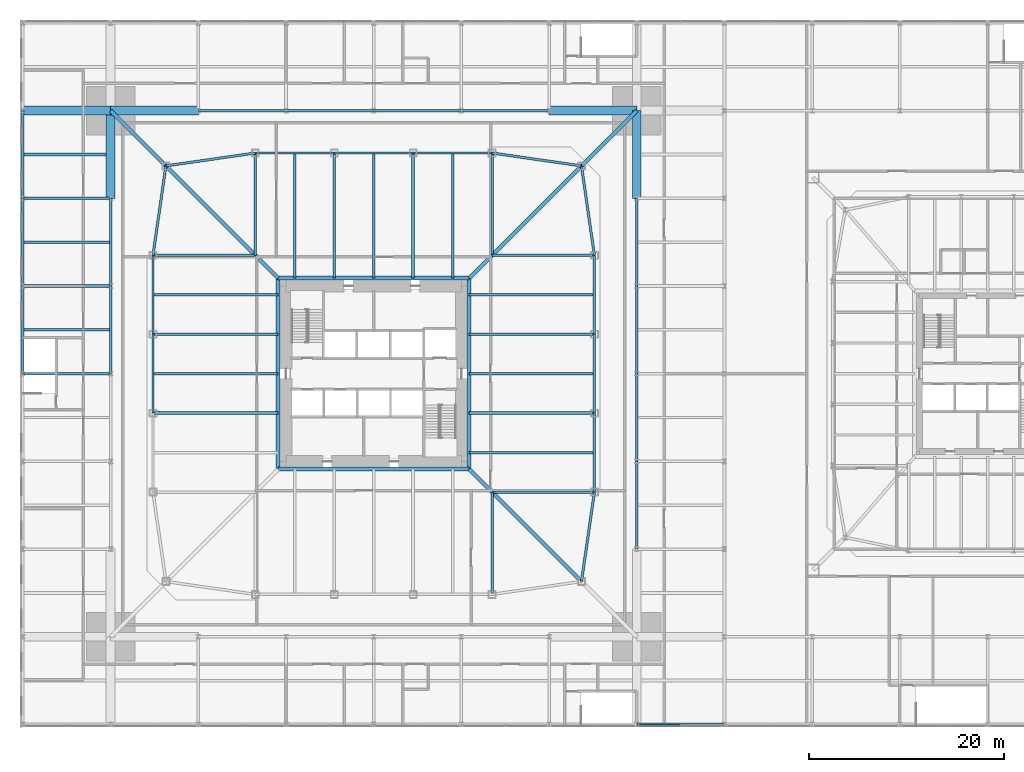
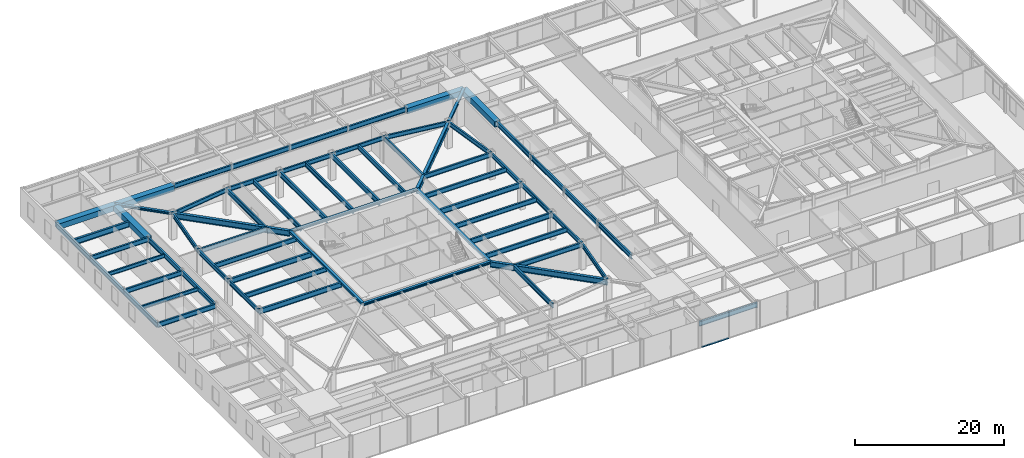
# One storey, part 9 of 30: 65 beams, 3 members, 1 element without a shape of its own.
"""IFC4 building model written with IfcOpenShell, lengths in metres."""

from ifc_helpers import new_model, si_unit, direction, frame, origin, origin_2d, place, context, subcontext, project, spatial, rectangle, hollow_rectangle, i_section, extrude, material, material_profile, profile_set, type_object, element, aggregate, save


model = new_model("IFC4")

# Units and contexts
model_context = context("Model", 3, precision=1e-05, world=origin(), true_north=direction((0.0, 1.0)))
body_context = subcontext(model_context, "Body", "Model", "MODEL_VIEW")
ifc_project = project(units=[si_unit("LENGTHUNIT", "METRE"), si_unit("AREAUNIT", "SQUARE_METRE"), si_unit("VOLUMEUNIT", "CUBIC_METRE"), si_unit("PLANEANGLEUNIT", "RADIAN"), si_unit("MASSUNIT", "GRAM", prefix="KILO")], contexts=[model_context])

# Site, building, storey
site_placement = place(None, origin())
site = spatial("IfcSite", under=ifc_project, at=site_placement, CompositionType="ELEMENT")
building_placement = place(site_placement, origin())
building = spatial("IfcBuilding", under=site, at=building_placement, Name="Iwan Alto Co-Living Towers", CompositionType="ELEMENT")
storey_placement = place(building_placement, frame((0.0, 0.0, 10.5)))
storey = spatial("IfcBuildingStorey", under=building, at=storey_placement, Name="L02", CompositionType="ELEMENT", Elevation=10.5)

# Curtain wall, member
ifc_material_1 = material(Name="Bronze aluminium stick frame", Category="aluminium")
curtain_wall_type = type_object("IfcCurtainWallType", Name="CURTAIN WALL CW-E", PredefinedType="NOTDEFINED", material=ifc_material_1)
curtain_wall_placement = place(storey_placement, origin())
curtain_wall = element("IfcCurtainWall", 1, at=curtain_wall_placement, inside=storey, type_object=curtain_wall_type, Name="Podium curtain wall S L02", PredefinedType="NOTDEFINED")
ifc_material_2 = material(Name="Aluminium 6063-T6 bronze anodised", Category="aluminium")
ifc_material_profile_1 = material_profile(ifc_material_2, rectangle(XDim=0.199951171875, YDim=0.10009765625, at=origin_2d()), Name="AL 200X100")
ifc_profile_set_1 = profile_set([ifc_material_profile_1], Name="Aluminium 6063-T6 bronze anodised")
member_type_1 = type_object("IfcMemberType", Name="CW-E TRANSOM 200X100", PredefinedType="USERDEFINED", material=ifc_profile_set_1)
member_placement = place(storey_placement, frame((27.28564453125, -36.14990234375, 0.050048828125), z_axis=(1.0, 0.0, 0.0), x_axis=(0.0, 1.0, 0.0)))
member = element("IfcMember", 2, at=member_placement, type_object=member_type_1, Name="CW-E transom 1.1", ObjectType="TRANSOM", PredefinedType="USERDEFINED", context=body_context, shape_type="SweptSolid", body=[
    extrude(rectangle(XDim=0.199951171875, YDim=0.10009765625, at=origin_2d()), origin(), (0.0, 0.0, 1.0), 4.17431640625),
])
aggregate(curtain_wall, [member])

# Beams
ifc_material_3 = material(Name="Steel ASTM A992 Gr 50", Category="steel")
ifc_material_profile_2 = material_profile(ifc_material_3, i_section(OverallWidth=0.2666015625, OverallDepth=0.76953125, WebThickness=0.015625, FlangeThickness=0.025390625, at=origin_2d()), Name="W30X132")
ifc_profile_set_2 = profile_set([ifc_material_profile_2], Name="Steel ASTM A992 Gr 50")
beam_type_1 = type_object("IfcBeamType", Name="PODIUM BEAM W30X132", PredefinedType="BEAM", material=ifc_profile_set_2)
for number, where, z_axis, x_axis, name in (
    (3, (-36.0, 0.0, 3.865234375), (1.0, 0.0, 0.0), (0.0, 1.0, 0.0), "Podium beam 1/E-2/E L03"),
    (4, (-36.0, 0.0, 3.865234375), (0.0, 1.0, 0.0), (-1.0, 0.0, 0.0), "Podium beam 1/E-1/F L03"),
    (5, (-36.0, 9.0, 3.865234375), (1.0, 0.0, 0.0), (0.0, 1.0, 0.0), "Podium beam 1/F-2/F L03"),
    (6, (-36.0, 9.0, 3.865234375), (0.0, 1.0, 0.0), (-1.0, 0.0, 0.0), "Podium beam 1/F-1/G L03"),
    (7, (-36.0, 18.0, 3.865234375), (1.0, 0.0, 0.0), (0.0, 1.0, 0.0), "Podium beam 1/G-2/G L03"),
    (8, (-36.0, 18.0, 3.865234375), (0.0, 1.0, 0.0), (-1.0, 0.0, 0.0), "Podium beam 1/G-1/H L03"),
    (9, (-27.0, 0.0, 3.865234375), (0.0, 1.0, 0.0), (-1.0, 0.0, 0.0), "Podium beam 2/E-2/F L03"),
    (10, (-27.0, 9.0, 3.865234375), (0.0, 1.0, 0.0), (-1.0, 0.0, 0.0), "Podium beam 2/F-2/G L03"),
    (11, (-18.0, 27.0, 3.865234375), (1.0, 0.0, 0.0), (0.0, 1.0, 0.0), "Podium beam 3/H-4/H L03"),
    (12, (-9.0, 27.0, 3.865234375), (1.0, 0.0, 0.0), (0.0, 1.0, 0.0), "Podium beam 4/H-5/H L03"),
    (13, (0.0, 27.0, 3.865234375), (1.0, 0.0, 0.0), (0.0, 1.0, 0.0), "Podium beam 5/H-6/H L03"),
    (14, (9.0, 27.0, 3.865234375), (1.0, 0.0, 0.0), (0.0, 1.0, 0.0), "Podium beam 6/H-7/H L03"),
    (15, (27.0, -36.0, 3.865234375), (1.0, 0.0, 0.0), (0.0, 1.0, 0.0), "Podium beam 8/A-9/A L03"),
    (16, (27.0, -18.0, 3.865234375), (0.0, 1.0, 0.0), (-1.0, 0.0, 0.0), "Podium beam 8/C-8/D L03"),
    (17, (27.0, -9.0, 3.865234375), (0.0, 1.0, 0.0), (-1.0, 0.0, 0.0), "Podium beam 8/D-8/E L03"),
    (18, (27.0, 0.0, 3.865234375), (0.0, 1.0, 0.0), (-1.0, 0.0, 0.0), "Podium beam 8/E-8/F L03"),
    (19, (27.0, 9.0, 3.865234375), (0.0, 1.0, 0.0), (-1.0, 0.0, 0.0), "Podium beam 8/F-8/G L03"),
):
    element("IfcBeam", number, at=place(storey_placement, frame(where, z_axis=z_axis, x_axis=x_axis)), inside=storey, type_object=beam_type_1, Name=name, PredefinedType="BEAM", context=body_context, shape_type="SweptSolid", body=[
        extrude(i_section(OverallWidth=0.2666015625, OverallDepth=0.76953125, WebThickness=0.015625, FlangeThickness=0.025390625, at=origin_2d()), origin(), (0.0, 0.0, 1.0), 9.0),
    ])
ifc_material_4 = material(Name="Steel ASTM A992 Gr 50", Category="steel")
ifc_material_profile_3 = material_profile(ifc_material_4, i_section(OverallWidth=0.307373046875, OverallDepth=0.927001953125, WebThickness=0.01953125, FlangeThickness=0.031982421875, at=origin_2d()), Name="W36X194")
ifc_profile_set_3 = profile_set([ifc_material_profile_3], Name="Steel ASTM A992 Gr 50")
beam_type_2 = type_object("IfcBeamType", Name="PODIUM PIER BAY SECONDARY BEAM W36X194", PredefinedType="JOIST", material=ifc_profile_set_3)
beam_1_placement = place(storey_placement, frame((-35.86669921875, 22.5, 3.786376953125), z_axis=(1.0, 0.0, 0.0), x_axis=(0.0, 1.0, 0.0)))
element("IfcBeam", 20, at=beam_1_placement, inside=storey, type_object=beam_type_2, Name="Podium secondary beam 1/G L03", PredefinedType="JOIST", context=body_context, shape_type="SweptSolid", body=[
    extrude(i_section(OverallWidth=0.307373046875, OverallDepth=0.927001953125, WebThickness=0.01953125, FlangeThickness=0.031982421875, at=origin_2d()), origin(), (0.0, 0.0, 1.0), 8.416748046875),
])
ifc_material_5 = material(Name="Steel ASTM A572 Gr 50", Category="steel")
ifc_material_profile_4 = material_profile(ifc_material_5, hollow_rectangle(XDim=0.89990234375, YDim=0.89990234375, WallThickness=0.06005859375, at=origin_2d()), Name="BOX 900X900X60")
ifc_profile_set_4 = profile_set([ifc_material_profile_4], Name="Steel ASTM A572 Gr 50")
beam_type_3 = type_object("IfcBeamType", Name="PODIUM PIER BEAM BOX 900X900X60", PredefinedType="BEAM", material=ifc_profile_set_4)
for number, where, z_axis, x_axis, name in (
    (21, (-36.0, 27.0, 3.800048828125), (1.0, 0.0, 0.0), (0.0, 1.0, 0.0), "Podium beam 1/H-2/H L03"),
    (22, (-27.0, 18.0, 3.800048828125), (0.0, 1.0, 0.0), (-1.0, 0.0, 0.0), "Podium beam 2/G-2/H L03"),
    (23, (-27.0, 27.0, 3.800048828125), (1.0, 0.0, 0.0), (0.0, 1.0, 0.0), "Podium beam 2/H-3/H L03"),
    (24, (18.0, 27.0, 3.800048828125), (1.0, 0.0, 0.0), (0.0, 1.0, 0.0), "Podium beam 7/H-8/H L03"),
    (25, (27.0, 18.0, 3.800048828125), (0.0, 1.0, 0.0), (-1.0, 0.0, 0.0), "Podium beam 8/G-8/H L03"),
):
    element("IfcBeam", number, at=place(storey_placement, frame(where, z_axis=z_axis, x_axis=x_axis)), inside=storey, type_object=beam_type_3, Name=name, PredefinedType="BEAM", context=body_context, shape_type="SweptSolid", body=[
        extrude(hollow_rectangle(XDim=0.89990234375, YDim=0.89990234375, WallThickness=0.06005859375, at=origin_2d()), origin(), (0.0, 0.0, 1.0), 9.0),
    ])
ifc_material_6 = material(Name="Steel ASTM A992 Gr 50", Category="steel")
ifc_material_profile_5 = material_profile(ifc_material_6, i_section(OverallWidth=0.23046875, OverallDepth=0.6171875, WebThickness=0.01318359375, FlangeThickness=0.022216796875, at=origin_2d()), Name="W24X94")
ifc_profile_set_5 = profile_set([ifc_material_profile_5], Name="Steel ASTM A992 Gr 50")
beam_type_4 = type_object("IfcBeamType", Name="PODIUM SECONDARY BEAM W24X94", PredefinedType="JOIST", material=ifc_profile_set_5)
for number, where, z_axis, x_axis, name in (
    (26, (-35.86669921875, 4.5, 3.94140625), (1.0, 0.0, 0.0), (0.0, 1.0, 0.0), "Podium secondary beam 1/E L03"),
    (27, (-35.86669921875, 13.5, 3.94140625), (1.0, 0.0, 0.0), (0.0, 1.0, 0.0), "Podium secondary beam 1/F L03"),
):
    element("IfcBeam", number, at=place(storey_placement, frame(where, z_axis=z_axis, x_axis=x_axis)), inside=storey, type_object=beam_type_4, Name=name, PredefinedType="JOIST", context=body_context, shape_type="SweptSolid", body=[
        extrude(i_section(OverallWidth=0.23046875, OverallDepth=0.6171875, WebThickness=0.01318359375, FlangeThickness=0.022216796875, at=origin_2d()), origin(), (0.0, 0.0, 1.0), 8.7333984375),
    ])
ifc_material_7 = material(Name="Steel ASTM A992 Gr 50", Category="steel")
ifc_material_profile_6 = material_profile(ifc_material_7, i_section(OverallWidth=0.40380859375, OverallDepth=0.406494140625, WebThickness=0.027099609375, FlangeThickness=0.043701171875, at=origin_2d()), Name="W14X233")
ifc_profile_set_6 = profile_set([ifc_material_profile_6], Name="Steel ASTM A992 Gr 50")
beam_type_5 = type_object("IfcBeamType", Name="T1 CORE LEDGER BEAM W14X233", PredefinedType="BEAM", material=ifc_profile_set_6)
for number, where, z_axis, x_axis, name in (
    (28, (-9.802001953125, -9.802001953125, 4.06689453125), (1.0, 0.0, 0.0), (0.0, 1.0, 0.0), "T1 core ledger beam S L03"),
    (29, (9.802001953125, -9.802001953125, 4.06689453125), (0.0, 1.0, 0.0), (-1.0, 0.0, 0.0), "T1 core ledger beam E L03"),
    (30, (9.802001953125, 9.802001953125, 4.06689453125), (-1.0, 0.0, 0.0), (0.0, -1.0, 0.0), "T1 core ledger beam N L03"),
    (31, (-9.802001953125, 9.802001953125, 4.06689453125), (0.0, -1.0, 0.0), (1.0, 0.0, 0.0), "T1 core ledger beam W L03"),
):
    element("IfcBeam", number, at=place(storey_placement, frame(where, z_axis=z_axis, x_axis=x_axis)), inside=storey, type_object=beam_type_5, Name=name, PredefinedType="BEAM", context=body_context, shape_type="SweptSolid", body=[
        extrude(i_section(OverallWidth=0.40380859375, OverallDepth=0.406494140625, WebThickness=0.027099609375, FlangeThickness=0.043701171875, at=origin_2d()), origin(), (0.0, 0.0, 1.0), 19.60400390625),
    ])
ifc_material_8 = material(Name="Steel ASTM A992 Gr 50", Category="steel")
ifc_material_profile_7 = material_profile(ifc_material_8, i_section(OverallWidth=0.419189453125, OverallDepth=0.927001953125, WebThickness=0.019287109375, FlangeThickness=0.031982421875, at=origin_2d()), Name="W36X231")
ifc_profile_set_7 = profile_set([ifc_material_profile_7], Name="Steel ASTM A992 Gr 50")
beam_type_6 = type_object("IfcBeamType", Name="T1 CORNER GIRDER W36X231", PredefinedType="BEAM", material=ifc_profile_set_7)
for number, where, z_axis, x_axis, name in (
    (32, (21.32568359375, -21.32568359375, 3.806396484375), (-0.707106781187, 0.707106781187, 0.0), (-0.707106781187, -0.707106781187, 0.0), "T1 corner girder CSE L03"),
    (33, (21.32568359375, 21.32568359375, 3.806396484375), (-0.707106781187, -0.707106781187, 0.0), (0.707106781187, -0.707106781187, 0.0), "T1 corner girder CNE L03"),
    (34, (-21.32568359375, 21.32568359375, 3.806396484375), (0.707106781187, -0.707106781187, 0.0), (0.707106781187, 0.707106781187, 0.0), "T1 corner girder CNW L03"),
):
    element("IfcBeam", number, at=place(storey_placement, frame(where, z_axis=z_axis, x_axis=x_axis)), inside=storey, type_object=beam_type_6, Name=name, PredefinedType="BEAM", context=body_context, shape_type="SweptSolid", body=[
        extrude(i_section(OverallWidth=0.419189453125, OverallDepth=0.927001953125, WebThickness=0.019287109375, FlangeThickness=0.031982421875, at=origin_2d()), origin(), (0.0, 0.0, 1.0), 16.296875),
    ])
ifc_material_9 = material(Name="Steel ASTM A992 Gr 50", Category="steel")
ifc_material_profile_8 = material_profile(ifc_material_9, i_section(OverallWidth=0.25390625, OverallDepth=0.683349609375, WebThickness=0.012451171875, FlangeThickness=0.018798828125, at=origin_2d()), Name="W27X94")
ifc_profile_set_8 = profile_set([ifc_material_profile_8], Name="Steel ASTM A992 Gr 50")
beam_type_7 = type_object("IfcBeamType", Name="T1 EDGE BEAM W27X94", PredefinedType="BEAM", material=ifc_profile_set_8)
beam_2_placement = place(storey_placement, frame((21.32568359375, -21.32568359375, 3.928466796875), z_axis=(0.142836940589, 0.989746234347, 0.0), x_axis=(-0.989746234347, 0.142836940589, 0.0)))
element("IfcBeam", 35, at=beam_2_placement, inside=storey, type_object=beam_type_7, Name="T1 edge beam CSE L03", PredefinedType="BEAM", context=body_context, shape_type="SweptSolid", body=[
    extrude(i_section(OverallWidth=0.25390625, OverallDepth=0.683349609375, WebThickness=0.012451171875, FlangeThickness=0.018798828125, at=origin_2d()), origin(), (0.0, 0.0, 1.0), 9.270751953125),
])
beam_3_placement = place(storey_placement, frame((22.64990234375, -12.14990234375, 3.928466796875), z_axis=(0.0, 1.0, 0.0), x_axis=(-1.0, 0.0, 0.0)))
element("IfcBeam", 36, at=beam_3_placement, inside=storey, type_object=beam_type_7, Name="T1 edge beam E1 L03", PredefinedType="BEAM", context=body_context, shape_type="SweptSolid", body=[
    extrude(i_section(OverallWidth=0.25390625, OverallDepth=0.683349609375, WebThickness=0.012451171875, FlangeThickness=0.018798828125, at=origin_2d()), origin(), (0.0, 0.0, 1.0), 8.099853515625),
])
beam_4_placement = place(storey_placement, frame((22.64990234375, -4.050048828125, 3.928466796875), z_axis=(0.0, 1.0, 0.0), x_axis=(-1.0, 0.0, 0.0)))
element("IfcBeam", 37, at=beam_4_placement, inside=storey, type_object=beam_type_7, Name="T1 edge beam E2 L03", PredefinedType="BEAM", context=body_context, shape_type="SweptSolid", body=[
    extrude(i_section(OverallWidth=0.25390625, OverallDepth=0.683349609375, WebThickness=0.012451171875, FlangeThickness=0.018798828125, at=origin_2d()), origin(), (0.0, 0.0, 1.0), 8.10009765625),
])
beam_5_placement = place(storey_placement, frame((22.64990234375, 4.050048828125, 3.928466796875), z_axis=(0.0, 1.0, 0.0), x_axis=(-1.0, 0.0, 0.0)))
element("IfcBeam", 38, at=beam_5_placement, inside=storey, type_object=beam_type_7, Name="T1 edge beam E3 L03", PredefinedType="BEAM", context=body_context, shape_type="SweptSolid", body=[
    extrude(i_section(OverallWidth=0.25390625, OverallDepth=0.683349609375, WebThickness=0.012451171875, FlangeThickness=0.018798828125, at=origin_2d()), origin(), (0.0, 0.0, 1.0), 8.099853515625),
])
for number, where, z_axis, x_axis, name in (
    (39, (22.64990234375, 12.14990234375, 3.928466796875), (-0.142836940589, 0.989746234347, 0.0), (-0.989746234347, -0.142836940589, 0.0), "T1 edge beam E4 L03"),
    (40, (21.32568359375, 21.32568359375, 3.928466796875), (-0.989746234347, 0.142836940589, 0.0), (-0.142836940589, -0.989746234347, 0.0), "T1 edge beam CNE L03"),
):
    element("IfcBeam", number, at=place(storey_placement, frame(where, z_axis=z_axis, x_axis=x_axis)), inside=storey, type_object=beam_type_7, Name=name, PredefinedType="BEAM", context=body_context, shape_type="SweptSolid", body=[
        extrude(i_section(OverallWidth=0.25390625, OverallDepth=0.683349609375, WebThickness=0.012451171875, FlangeThickness=0.018798828125, at=origin_2d()), origin(), (0.0, 0.0, 1.0), 9.270751953125),
    ])
beam_6_placement = place(storey_placement, frame((12.14990234375, 22.64990234375, 3.928466796875), z_axis=(-1.0, 0.0, 0.0), x_axis=(0.0, -1.0, 0.0)))
element("IfcBeam", 41, at=beam_6_placement, inside=storey, type_object=beam_type_7, Name="T1 edge beam N1 L03", PredefinedType="BEAM", context=body_context, shape_type="SweptSolid", body=[
    extrude(i_section(OverallWidth=0.25390625, OverallDepth=0.683349609375, WebThickness=0.012451171875, FlangeThickness=0.018798828125, at=origin_2d()), origin(), (0.0, 0.0, 1.0), 8.099853515625),
])
beam_7_placement = place(storey_placement, frame((4.050048828125, 22.64990234375, 3.928466796875), z_axis=(-1.0, 0.0, 0.0), x_axis=(0.0, -1.0, 0.0)))
element("IfcBeam", 42, at=beam_7_placement, inside=storey, type_object=beam_type_7, Name="T1 edge beam N2 L03", PredefinedType="BEAM", context=body_context, shape_type="SweptSolid", body=[
    extrude(i_section(OverallWidth=0.25390625, OverallDepth=0.683349609375, WebThickness=0.012451171875, FlangeThickness=0.018798828125, at=origin_2d()), origin(), (0.0, 0.0, 1.0), 8.10009765625),
])
beam_8_placement = place(storey_placement, frame((-4.050048828125, 22.64990234375, 3.928466796875), z_axis=(-1.0, 0.0, 0.0), x_axis=(0.0, -1.0, 0.0)))
element("IfcBeam", 43, at=beam_8_placement, inside=storey, type_object=beam_type_7, Name="T1 edge beam N3 L03", PredefinedType="BEAM", context=body_context, shape_type="SweptSolid", body=[
    extrude(i_section(OverallWidth=0.25390625, OverallDepth=0.683349609375, WebThickness=0.012451171875, FlangeThickness=0.018798828125, at=origin_2d()), origin(), (0.0, 0.0, 1.0), 8.099853515625),
])
for number, where, z_axis, x_axis, name in (
    (44, (-12.14990234375, 22.64990234375, 3.928466796875), (-0.989746234347, -0.142836940589, 0.0), (0.142836940589, -0.989746234347, 0.0), "T1 edge beam N4 L03"),
    (45, (-21.32568359375, 21.32568359375, 3.928466796875), (-0.142836940589, -0.989746234347, 0.0), (0.989746234347, -0.142836940589, 0.0), "T1 edge beam CNW L03"),
):
    element("IfcBeam", number, at=place(storey_placement, frame(where, z_axis=z_axis, x_axis=x_axis)), inside=storey, type_object=beam_type_7, Name=name, PredefinedType="BEAM", context=body_context, shape_type="SweptSolid", body=[
        extrude(i_section(OverallWidth=0.25390625, OverallDepth=0.683349609375, WebThickness=0.012451171875, FlangeThickness=0.018798828125, at=origin_2d()), origin(), (0.0, 0.0, 1.0), 9.270751953125),
    ])
beam_9_placement = place(storey_placement, frame((-22.64990234375, 12.14990234375, 3.928466796875), z_axis=(0.0, -1.0, 0.0), x_axis=(1.0, 0.0, 0.0)))
element("IfcBeam", 46, at=beam_9_placement, inside=storey, type_object=beam_type_7, Name="T1 edge beam W1 L03", PredefinedType="BEAM", context=body_context, shape_type="SweptSolid", body=[
    extrude(i_section(OverallWidth=0.25390625, OverallDepth=0.683349609375, WebThickness=0.012451171875, FlangeThickness=0.018798828125, at=origin_2d()), origin(), (0.0, 0.0, 1.0), 8.099853515625),
])
beam_10_placement = place(storey_placement, frame((-22.64990234375, 4.050048828125, 3.928466796875), z_axis=(0.0, -1.0, 0.0), x_axis=(1.0, 0.0, 0.0)))
element("IfcBeam", 47, at=beam_10_placement, inside=storey, type_object=beam_type_7, Name="T1 edge beam W2 L03", PredefinedType="BEAM", context=body_context, shape_type="SweptSolid", body=[
    extrude(i_section(OverallWidth=0.25390625, OverallDepth=0.683349609375, WebThickness=0.012451171875, FlangeThickness=0.018798828125, at=origin_2d()), origin(), (0.0, 0.0, 1.0), 8.10009765625),
])

# Members
ifc_material_10 = material(Name="Steel ASTM A992 Gr 50", Category="steel")
ifc_material_profile_9 = material_profile(ifc_material_10, i_section(OverallWidth=0.393798828125, OverallDepth=0.3759765625, WebThickness=0.017333984375, FlangeThickness=0.027587890625, at=origin_2d()), Name="W14X145")
ifc_profile_set_9 = profile_set([ifc_material_profile_9], Name="Steel ASTM A992 Gr 50")
member_type_2 = type_object("IfcMemberType", Name="T1 MEGA COLUMN FLOOR TIE W14X145", PredefinedType="STRUT", material=ifc_profile_set_9)
for number, where, z_axis, x_axis, name in (
    (48, (27.0, 27.0, 4.08203125), (-0.707106781187, -0.707106781187, 0.0), (0.707106781187, -0.707106781187, 0.0), "T1 mega column floor tie NE L03"),
    (49, (-27.0, 27.0, 4.08203125), (0.707106781187, -0.707106781187, 0.0), (0.707106781187, 0.707106781187, 0.0), "T1 mega column floor tie NW L03"),
):
    element("IfcMember", number, at=place(storey_placement, frame(where, z_axis=z_axis, x_axis=x_axis)), inside=storey, type_object=member_type_2, Name=name, PredefinedType="STRUT", context=body_context, shape_type="SweptSolid", body=[
        extrude(i_section(OverallWidth=0.393798828125, OverallDepth=0.3759765625, WebThickness=0.017333984375, FlangeThickness=0.027587890625, at=origin_2d()), origin(), (0.0, 0.0, 1.0), 8.024658203125),
    ])

# Beams
ifc_material_11 = material(Name="Steel ASTM A992 Gr 50", Category="steel")
ifc_material_profile_10 = material_profile(ifc_material_11, i_section(OverallWidth=0.2666015625, OverallDepth=0.761962890625, WebThickness=0.014404296875, FlangeThickness=0.021484375, at=origin_2d()), Name="W30X116")
ifc_profile_set_10 = profile_set([ifc_material_profile_10], Name="Steel ASTM A992 Gr 50")
beam_type_8 = type_object("IfcBeamType", Name="T1 RADIAL BEAM W30X116", PredefinedType="BEAM", material=ifc_profile_set_10)
for number, where, z_axis, x_axis, name in (
    (50, (12.14990234375, -22.64990234375, 3.888916015625), (0.0, 1.0, 0.0), (-1.0, 0.0, 0.0), "T1 radial beam S4 L03"),
    (51, (22.64990234375, -12.14990234375, 3.888916015625), (-1.0, 0.0, 0.0), (0.0, -1.0, 0.0), "T1 radial beam E1 L03"),
    (52, (22.64990234375, 12.14990234375, 3.888916015625), (-1.0, 0.0, 0.0), (0.0, -1.0, 0.0), "T1 radial beam E4 L03"),
    (53, (12.14990234375, 22.64990234375, 3.888916015625), (0.0, -1.0, 0.0), (1.0, 0.0, 0.0), "T1 radial beam N1 L03"),
    (54, (-12.14990234375, 22.64990234375, 3.888916015625), (0.0, -1.0, 0.0), (1.0, 0.0, 0.0), "T1 radial beam N4 L03"),
    (55, (-22.64990234375, 12.14990234375, 3.888916015625), (1.0, 0.0, 0.0), (0.0, 1.0, 0.0), "T1 radial beam W1 L03"),
):
    element("IfcBeam", number, at=place(storey_placement, frame(where, z_axis=z_axis, x_axis=x_axis)), inside=storey, type_object=beam_type_8, Name=name, PredefinedType="BEAM", context=body_context, shape_type="SweptSolid", body=[
        extrude(i_section(OverallWidth=0.2666015625, OverallDepth=0.761962890625, WebThickness=0.014404296875, FlangeThickness=0.021484375, at=origin_2d()), origin(), (0.0, 0.0, 1.0), 10.5),
    ])
ifc_material_12 = material(Name="Steel ASTM A992 Gr 50", Category="steel")
ifc_material_profile_11 = material_profile(ifc_material_12, i_section(OverallWidth=0.2919921875, OverallDepth=0.8408203125, WebThickness=0.0146484375, FlangeThickness=0.021728515625, at=origin_2d()), Name="W33X130")
ifc_profile_set_11 = profile_set([ifc_material_profile_11], Name="Steel ASTM A992 Gr 50")
beam_type_9 = type_object("IfcBeamType", Name="T1 RADIAL BEAM W33X130", PredefinedType="BEAM", material=ifc_profile_set_11)
for number, where, z_axis, x_axis, name in (
    (56, (22.64990234375, -4.050048828125, 3.849609375), (-1.0, 0.0, 0.0), (0.0, -1.0, 0.0), "T1 radial beam E2 L03"),
    (57, (22.64990234375, 4.050048828125, 3.849609375), (-1.0, 0.0, 0.0), (0.0, -1.0, 0.0), "T1 radial beam E3 L03"),
    (58, (4.050048828125, 22.64990234375, 3.849609375), (0.0, -1.0, 0.0), (1.0, 0.0, 0.0), "T1 radial beam N2 L03"),
    (59, (-4.050048828125, 22.64990234375, 3.849609375), (0.0, -1.0, 0.0), (1.0, 0.0, 0.0), "T1 radial beam N3 L03"),
    (60, (-22.64990234375, 4.050048828125, 3.849609375), (1.0, 0.0, 0.0), (0.0, 1.0, 0.0), "T1 radial beam W2 L03"),
    (61, (-22.64990234375, -4.050048828125, 3.849609375), (1.0, 0.0, 0.0), (0.0, 1.0, 0.0), "T1 radial beam W3 L03"),
):
    element("IfcBeam", number, at=place(storey_placement, frame(where, z_axis=z_axis, x_axis=x_axis)), inside=storey, type_object=beam_type_9, Name=name, PredefinedType="BEAM", context=body_context, shape_type="SweptSolid", body=[
        extrude(i_section(OverallWidth=0.2919921875, OverallDepth=0.8408203125, WebThickness=0.0146484375, FlangeThickness=0.021728515625, at=origin_2d()), origin(), (0.0, 0.0, 1.0), 12.847900390625),
    ])
ifc_material_13 = material(Name="Steel ASTM A992 Gr 50", Category="steel")
ifc_material_profile_12 = material_profile(ifc_material_13, i_section(OverallWidth=0.2666015625, OverallDepth=0.761962890625, WebThickness=0.014404296875, FlangeThickness=0.021484375, at=origin_2d()), Name="W30X116")
ifc_profile_set_12 = profile_set([ifc_material_profile_12], Name="Steel ASTM A992 Gr 50")
beam_type_10 = type_object("IfcBeamType", Name="T1 SECONDARY BEAM W30X116", PredefinedType="JOIST", material=ifc_profile_set_12)
for number, where, z_axis, x_axis, name in (
    (62, (22.64990234375, -8.10009765625, 3.888916015625), (-1.0, 0.0, 0.0), (0.0, -1.0, 0.0), "T1 secondary beam E1 L03"),
    (63, (22.64990234375, 0.0, 3.888916015625), (-1.0, 0.0, 0.0), (0.0, -1.0, 0.0), "T1 secondary beam E2 L03"),
    (64, (22.64990234375, 8.10009765625, 3.888916015625), (-1.0, 0.0, 0.0), (0.0, -1.0, 0.0), "T1 secondary beam E3 L03"),
    (65, (8.10009765625, 22.64990234375, 3.888916015625), (0.0, -1.0, 0.0), (1.0, 0.0, 0.0), "T1 secondary beam N1 L03"),
    (66, (0.0, 22.64990234375, 3.888916015625), (0.0, -1.0, 0.0), (1.0, 0.0, 0.0), "T1 secondary beam N2 L03"),
    (67, (-8.10009765625, 22.64990234375, 3.888916015625), (0.0, -1.0, 0.0), (1.0, 0.0, 0.0), "T1 secondary beam N3 L03"),
    (68, (-22.64990234375, 8.10009765625, 3.888916015625), (1.0, 0.0, 0.0), (0.0, 1.0, 0.0), "T1 secondary beam W1 L03"),
    (69, (-22.64990234375, 0.0, 3.888916015625), (1.0, 0.0, 0.0), (0.0, 1.0, 0.0), "T1 secondary beam W2 L03"),
):
    element("IfcBeam", number, at=place(storey_placement, frame(where, z_axis=z_axis, x_axis=x_axis)), inside=storey, type_object=beam_type_10, Name=name, PredefinedType="JOIST", context=body_context, shape_type="SweptSolid", body=[
        extrude(i_section(OverallWidth=0.2666015625, OverallDepth=0.761962890625, WebThickness=0.014404296875, FlangeThickness=0.021484375, at=origin_2d()), origin(), (0.0, 0.0, 1.0), 12.847900390625),
    ])

save(model, "model.ifc")
